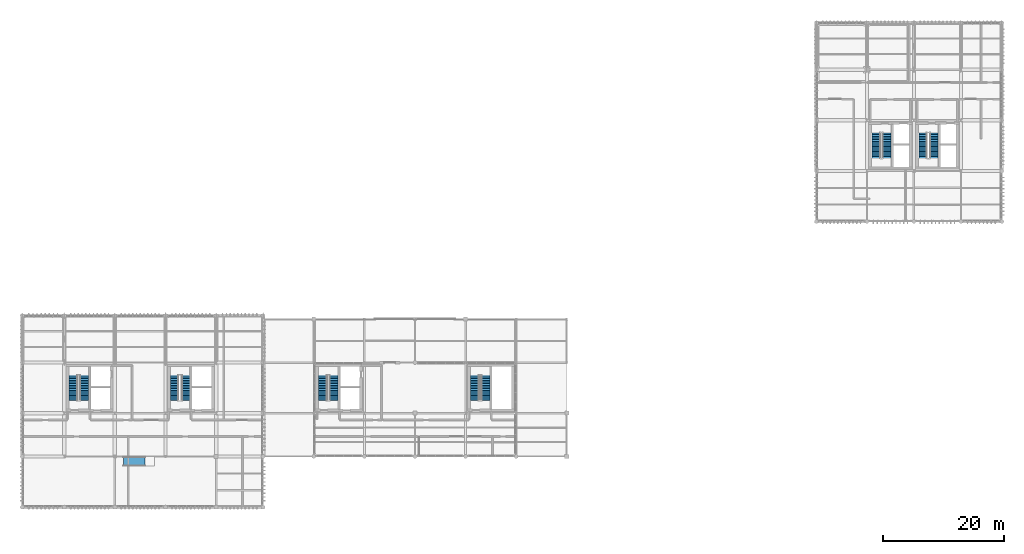
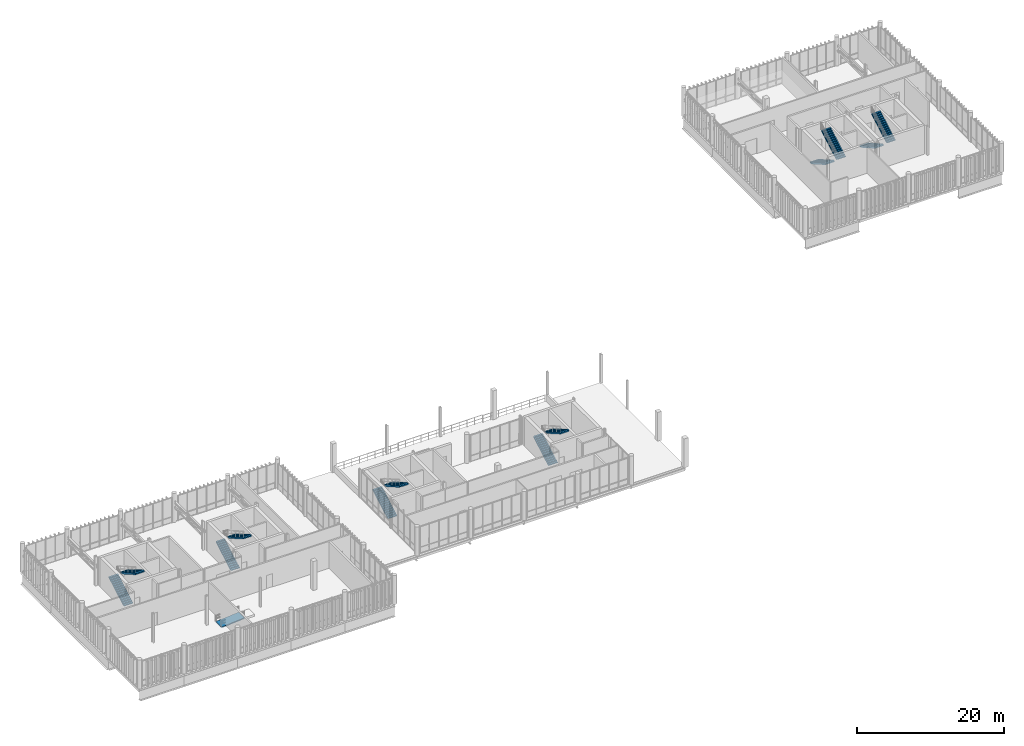
# One storey, part 73 of 81: 12 stair flights, 1 ramp flight, 7 elements without a shape of their own.
"""IFC4 building model written with IfcOpenShell, lengths in metres."""

from ifc_helpers import new_model, si_unit, direction, frame, origin_with_axes, place, context, subcontext, project, spatial, polyline, outline, extrude, material, type_object, element, aggregate, save


model = new_model("IFC4")

# Units and contexts
model_context = context("Model", 3, precision=1e-05, world=origin_with_axes(), true_north=direction((0.0, 1.0)))
body_context = subcontext(model_context, "Body", "Model", "MODEL_VIEW")
ifc_project = project(units=[si_unit("LENGTHUNIT", "METRE"), si_unit("AREAUNIT", "SQUARE_METRE"), si_unit("VOLUMEUNIT", "CUBIC_METRE"), si_unit("PLANEANGLEUNIT", "RADIAN"), si_unit("MASSUNIT", "GRAM", prefix="KILO"), si_unit("THERMODYNAMICTEMPERATUREUNIT", "KELVIN")], contexts=[model_context])

# Site, building, storey
site_placement = place(None, origin_with_axes())
site = spatial("IfcSite", under=ifc_project, at=site_placement, CompositionType="ELEMENT")
building_placement = place(site_placement, origin_with_axes())
building = spatial("IfcBuilding", under=site, at=building_placement, Name="Montbau Bow Law Courts", CompositionType="ELEMENT")
storey_placement = place(building_placement, frame((0.0, 0.0, 24.9), z_axis=(0.0, 0.0, 1.0), x_axis=(1.0, 0.0, 0.0)))
storey = spatial("IfcBuildingStorey", under=building, at=storey_placement, Name="L05", CompositionType="ELEMENT", Elevation=24.9)

# Stair, stair flights
ifc_material = material(Name="Concrete CSA A23.1 f'c 40 MPa", Category="concrete")
stair_type_1 = type_object("IfcStairType", Name="ST-JUD-1500", PredefinedType="HALF_TURN_STAIR", material=ifc_material)
stair_1_placement = place(None, frame((32.09, 48.3, 24.9), z_axis=(0.0, 0.0, 1.0), x_axis=(1.0, 0.0, 0.0)))
stair_1 = element("IfcStair", 1, at=stair_1_placement, inside=storey, type_object=stair_type_1, Name="ST-J1-L05:str_0015", PredefinedType="HALF_TURN_STAIR")
stair_flight_type_1 = type_object("IfcStairFlightType", Name="SF-RC-1500B", PredefinedType="STRAIGHT", material=ifc_material)
stair_flight_1_placement = place(None, frame((32.09, 48.3, 24.9), z_axis=(0.0, 0.0, 1.0), x_axis=(0.0, 1.0, 0.0)))
stair_flight_1 = element("IfcStairFlight", 2, at=stair_flight_1_placement, type_object=stair_flight_type_1, Name="ST-J1-L05-F1:str_0015_F1", NumberOfRisers=15, NumberOfTreads=14, PredefinedType="STRAIGHT", RiserHeight=0.16, TreadLength=0.28, context=body_context, shape_type="SweptSolid", body=[
    extrude(outline(polyline([(0.0, 0.0), (0.0, 0.16), (0.28, 0.16), (0.28, 0.32), (0.56, 0.32), (0.56, 0.48), (0.84, 0.48), (0.84, 0.64), (1.12, 0.64), (1.12, 0.8), (1.4, 0.8), (1.4, 0.96), (1.68, 0.96), (1.68, 1.12), (1.96, 1.12), (1.96, 1.28), (2.24, 1.28), (2.24, 1.44), (2.52, 1.44), (2.52, 1.6), (2.8, 1.6), (2.8, 1.76), (3.08, 1.76), (3.08, 1.92), (3.36, 1.92), (3.36, 2.08), (3.64, 2.08), (3.64, 2.24), (3.92, 2.24), (3.92, 2.4), (4.2, 2.4), (4.2, 2.192685), (0.362802, 0.0), (0.0, 0.0)])), frame((0.0, 0.67, 0.0), z_axis=(0.0, -1.0, 0.0), x_axis=(1.0, 0.0, 0.0)), (0.0, 0.0, 1.0), 1.34),
])
stair_flight_2_placement = place(None, frame((33.96, 52.5, 27.3), z_axis=(0.0, 0.0, 1.0), x_axis=(0.0, -1.0, 0.0)))
stair_flight_2 = element("IfcStairFlight", 3, at=stair_flight_2_placement, type_object=stair_flight_type_1, Name="ST-J1-L05-F2:str_0015_F2", NumberOfRisers=15, NumberOfTreads=14, PredefinedType="STRAIGHT", RiserHeight=0.16, TreadLength=0.28, context=body_context, shape_type="SweptSolid", body=[
    extrude(outline(polyline([(0.0, 0.0), (0.0, 0.16), (0.28, 0.16), (0.28, 0.32), (0.56, 0.32), (0.56, 0.48), (0.84, 0.48), (0.84, 0.64), (1.12, 0.64), (1.12, 0.8), (1.4, 0.8), (1.4, 0.96), (1.68, 0.96), (1.68, 1.12), (1.96, 1.12), (1.96, 1.28), (2.24, 1.28), (2.24, 1.44), (2.52, 1.44), (2.52, 1.6), (2.8, 1.6), (2.8, 1.76), (3.08, 1.76), (3.08, 1.92), (3.36, 1.92), (3.36, 2.08), (3.64, 2.08), (3.64, 2.24), (3.92, 2.24), (3.92, 2.4), (4.2, 2.4), (4.2, 2.192685), (0.362802, 0.0), (0.0, 0.0)])), frame((0.0, 0.67, 0.0), z_axis=(0.0, -1.0, 0.0), x_axis=(1.0, 0.0, 0.0)), (0.0, 0.0, 1.0), 1.34),
])
aggregate(stair_1, [stair_flight_1, stair_flight_2])

stair_2_placement = place(None, frame((156.29, 92.7, 24.9), z_axis=(0.0, 0.0, 1.0), x_axis=(1.0, 0.0, 0.0)))
stair_2 = element("IfcStair", 4, at=stair_2_placement, inside=storey, type_object=stair_type_1, Name="ST-J2-L05:str_0050", PredefinedType="HALF_TURN_STAIR")
stair_flight_3_placement = place(None, frame((156.29, 92.7, 24.9), z_axis=(0.0, 0.0, 1.0), x_axis=(0.0, -1.0, 0.0)))
stair_flight_3 = element("IfcStairFlight", 5, at=stair_flight_3_placement, type_object=stair_flight_type_1, Name="ST-J2-L05-F1:str_0050_F1", NumberOfRisers=15, NumberOfTreads=14, PredefinedType="STRAIGHT", RiserHeight=0.16, TreadLength=0.28, context=body_context, shape_type="SweptSolid", body=[
    extrude(outline(polyline([(0.0, 0.0), (0.0, 0.16), (0.28, 0.16), (0.28, 0.32), (0.56, 0.32), (0.56, 0.48), (0.84, 0.48), (0.84, 0.64), (1.12, 0.64), (1.12, 0.8), (1.4, 0.8), (1.4, 0.96), (1.68, 0.96), (1.68, 1.12), (1.96, 1.12), (1.96, 1.28), (2.24, 1.28), (2.24, 1.44), (2.52, 1.44), (2.52, 1.6), (2.8, 1.6), (2.8, 1.76), (3.08, 1.76), (3.08, 1.92), (3.36, 1.92), (3.36, 2.08), (3.64, 2.08), (3.64, 2.24), (3.92, 2.24), (3.92, 2.4), (4.2, 2.4), (4.2, 2.192685), (0.362802, 0.0), (0.0, 0.0)])), frame((0.0, 0.67, 0.0), z_axis=(0.0, -1.0, 0.0), x_axis=(1.0, 0.0, 0.0)), (0.0, 0.0, 1.0), 1.34),
])
stair_flight_4_placement = place(None, frame((158.16, 88.5, 27.3), z_axis=(0.0, 0.0, 1.0), x_axis=(0.0, 1.0, 0.0)))
stair_flight_4 = element("IfcStairFlight", 6, at=stair_flight_4_placement, type_object=stair_flight_type_1, Name="ST-J2-L05-F2:str_0050_F2", NumberOfRisers=15, NumberOfTreads=14, PredefinedType="STRAIGHT", RiserHeight=0.16, TreadLength=0.28, context=body_context, shape_type="SweptSolid", body=[
    extrude(outline(polyline([(0.0, 0.0), (0.0, 0.16), (0.28, 0.16), (0.28, 0.32), (0.56, 0.32), (0.56, 0.48), (0.84, 0.48), (0.84, 0.64), (1.12, 0.64), (1.12, 0.8), (1.4, 0.8), (1.4, 0.96), (1.68, 0.96), (1.68, 1.12), (1.96, 1.12), (1.96, 1.28), (2.24, 1.28), (2.24, 1.44), (2.52, 1.44), (2.52, 1.6), (2.8, 1.6), (2.8, 1.76), (3.08, 1.76), (3.08, 1.92), (3.36, 1.92), (3.36, 2.08), (3.64, 2.08), (3.64, 2.24), (3.92, 2.24), (3.92, 2.4), (4.2, 2.4), (4.2, 2.192685), (0.362802, 0.0), (0.0, 0.0)])), frame((0.0, 0.67, 0.0), z_axis=(0.0, -1.0, 0.0), x_axis=(1.0, 0.0, 0.0)), (0.0, 0.0, 1.0), 1.34),
])
aggregate(stair_2, [stair_flight_3, stair_flight_4])

stair_type_2 = type_object("IfcStairType", Name="ST-PUB-1800", PredefinedType="HALF_TURN_STAIR", material=ifc_material)
stair_3_placement = place(None, frame((15.33, 48.3, 24.9), z_axis=(0.0, 0.0, 1.0), x_axis=(1.0, 0.0, 0.0)))
stair_3 = element("IfcStair", 7, at=stair_3_placement, inside=storey, type_object=stair_type_2, Name="ST-P1-L05:str_0007", PredefinedType="HALF_TURN_STAIR")
stair_flight_type_2 = type_object("IfcStairFlightType", Name="SF-RC-1800B", PredefinedType="STRAIGHT", material=ifc_material)
stair_flight_5_placement = place(None, frame((15.33, 48.3, 24.9), z_axis=(0.0, 0.0, 1.0), x_axis=(0.0, 1.0, 0.0)))
stair_flight_5 = element("IfcStairFlight", 8, at=stair_flight_5_placement, type_object=stair_flight_type_2, Name="ST-P1-L05-F1:str_0007_F1", NumberOfRisers=15, NumberOfTreads=14, PredefinedType="STRAIGHT", RiserHeight=0.16, TreadLength=0.28, context=body_context, shape_type="SweptSolid", body=[
    extrude(outline(polyline([(0.0, 0.0), (0.0, 0.16), (0.28, 0.16), (0.28, 0.32), (0.56, 0.32), (0.56, 0.48), (0.84, 0.48), (0.84, 0.64), (1.12, 0.64), (1.12, 0.8), (1.4, 0.8), (1.4, 0.96), (1.68, 0.96), (1.68, 1.12), (1.96, 1.12), (1.96, 1.28), (2.24, 1.28), (2.24, 1.44), (2.52, 1.44), (2.52, 1.6), (2.8, 1.6), (2.8, 1.76), (3.08, 1.76), (3.08, 1.92), (3.36, 1.92), (3.36, 2.08), (3.64, 2.08), (3.64, 2.24), (3.92, 2.24), (3.92, 2.4), (4.2, 2.4), (4.2, 2.192685), (0.362802, 0.0), (0.0, 0.0)])), frame((0.0, 0.71, 0.0), z_axis=(0.0, -1.0, 0.0), x_axis=(1.0, 0.0, 0.0)), (0.0, 0.0, 1.0), 1.42),
])
stair_flight_6_placement = place(None, frame((17.12, 52.5, 27.3), z_axis=(0.0, 0.0, 1.0), x_axis=(0.0, -1.0, 0.0)))
stair_flight_6 = element("IfcStairFlight", 9, at=stair_flight_6_placement, type_object=stair_flight_type_2, Name="ST-P1-L05-F2:str_0007_F2", NumberOfRisers=15, NumberOfTreads=14, PredefinedType="STRAIGHT", RiserHeight=0.16, TreadLength=0.28, context=body_context, shape_type="SweptSolid", body=[
    extrude(outline(polyline([(0.0, 0.0), (0.0, 0.16), (0.28, 0.16), (0.28, 0.32), (0.56, 0.32), (0.56, 0.48), (0.84, 0.48), (0.84, 0.64), (1.12, 0.64), (1.12, 0.8), (1.4, 0.8), (1.4, 0.96), (1.68, 0.96), (1.68, 1.12), (1.96, 1.12), (1.96, 1.28), (2.24, 1.28), (2.24, 1.44), (2.52, 1.44), (2.52, 1.6), (2.8, 1.6), (2.8, 1.76), (3.08, 1.76), (3.08, 1.92), (3.36, 1.92), (3.36, 2.08), (3.64, 2.08), (3.64, 2.24), (3.92, 2.24), (3.92, 2.4), (4.2, 2.4), (4.2, 2.192685), (0.362802, 0.0), (0.0, 0.0)])), frame((0.0, 0.71, 0.0), z_axis=(0.0, -1.0, 0.0), x_axis=(1.0, 0.0, 0.0)), (0.0, 0.0, 1.0), 1.42),
])
aggregate(stair_3, [stair_flight_5, stair_flight_6])

stair_4_placement = place(None, frame((56.73, 48.3, 24.9), z_axis=(0.0, 0.0, 1.0), x_axis=(1.0, 0.0, 0.0)))
stair_4 = element("IfcStair", 10, at=stair_4_placement, inside=storey, type_object=stair_type_2, Name="ST-P4-L05:str_0023", PredefinedType="HALF_TURN_STAIR")
stair_flight_7_placement = place(None, frame((56.73, 48.3, 24.9), z_axis=(0.0, 0.0, 1.0), x_axis=(0.0, 1.0, 0.0)))
stair_flight_7 = element("IfcStairFlight", 11, at=stair_flight_7_placement, type_object=stair_flight_type_2, Name="ST-P4-L05-F1:str_0023_F1", NumberOfRisers=15, NumberOfTreads=14, PredefinedType="STRAIGHT", RiserHeight=0.16, TreadLength=0.28, context=body_context, shape_type="SweptSolid", body=[
    extrude(outline(polyline([(0.0, 0.0), (0.0, 0.16), (0.28, 0.16), (0.28, 0.32), (0.56, 0.32), (0.56, 0.48), (0.84, 0.48), (0.84, 0.64), (1.12, 0.64), (1.12, 0.8), (1.4, 0.8), (1.4, 0.96), (1.68, 0.96), (1.68, 1.12), (1.96, 1.12), (1.96, 1.28), (2.24, 1.28), (2.24, 1.44), (2.52, 1.44), (2.52, 1.6), (2.8, 1.6), (2.8, 1.76), (3.08, 1.76), (3.08, 1.92), (3.36, 1.92), (3.36, 2.08), (3.64, 2.08), (3.64, 2.24), (3.92, 2.24), (3.92, 2.4), (4.2, 2.4), (4.2, 2.192685), (0.362802, 0.0), (0.0, 0.0)])), frame((0.0, 0.71, 0.0), z_axis=(0.0, -1.0, 0.0), x_axis=(1.0, 0.0, 0.0)), (0.0, 0.0, 1.0), 1.42),
])
stair_flight_8_placement = place(None, frame((58.52, 52.5, 27.3), z_axis=(0.0, 0.0, 1.0), x_axis=(0.0, -1.0, 0.0)))
stair_flight_8 = element("IfcStairFlight", 12, at=stair_flight_8_placement, type_object=stair_flight_type_2, Name="ST-P4-L05-F2:str_0023_F2", NumberOfRisers=15, NumberOfTreads=14, PredefinedType="STRAIGHT", RiserHeight=0.16, TreadLength=0.28, context=body_context, shape_type="SweptSolid", body=[
    extrude(outline(polyline([(0.0, 0.0), (0.0, 0.16), (0.28, 0.16), (0.28, 0.32), (0.56, 0.32), (0.56, 0.48), (0.84, 0.48), (0.84, 0.64), (1.12, 0.64), (1.12, 0.8), (1.4, 0.8), (1.4, 0.96), (1.68, 0.96), (1.68, 1.12), (1.96, 1.12), (1.96, 1.28), (2.24, 1.28), (2.24, 1.44), (2.52, 1.44), (2.52, 1.6), (2.8, 1.6), (2.8, 1.76), (3.08, 1.76), (3.08, 1.92), (3.36, 1.92), (3.36, 2.08), (3.64, 2.08), (3.64, 2.24), (3.92, 2.24), (3.92, 2.4), (4.2, 2.4), (4.2, 2.192685), (0.362802, 0.0), (0.0, 0.0)])), frame((0.0, 0.71, 0.0), z_axis=(0.0, -1.0, 0.0), x_axis=(1.0, 0.0, 0.0)), (0.0, 0.0, 1.0), 1.42),
])
aggregate(stair_4, [stair_flight_7, stair_flight_8])

stair_5_placement = place(None, frame((81.93, 48.3, 24.9), z_axis=(0.0, 0.0, 1.0), x_axis=(1.0, 0.0, 0.0)))
stair_5 = element("IfcStair", 13, at=stair_5_placement, inside=storey, type_object=stair_type_2, Name="ST-P3-L05:str_0031", PredefinedType="HALF_TURN_STAIR")
stair_flight_9_placement = place(None, frame((81.93, 48.3, 24.9), z_axis=(0.0, 0.0, 1.0), x_axis=(0.0, 1.0, 0.0)))
stair_flight_9 = element("IfcStairFlight", 14, at=stair_flight_9_placement, type_object=stair_flight_type_2, Name="ST-P3-L05-F1:str_0031_F1", NumberOfRisers=15, NumberOfTreads=14, PredefinedType="STRAIGHT", RiserHeight=0.16, TreadLength=0.28, context=body_context, shape_type="SweptSolid", body=[
    extrude(outline(polyline([(0.0, 0.0), (0.0, 0.16), (0.28, 0.16), (0.28, 0.32), (0.56, 0.32), (0.56, 0.48), (0.84, 0.48), (0.84, 0.64), (1.12, 0.64), (1.12, 0.8), (1.4, 0.8), (1.4, 0.96), (1.68, 0.96), (1.68, 1.12), (1.96, 1.12), (1.96, 1.28), (2.24, 1.28), (2.24, 1.44), (2.52, 1.44), (2.52, 1.6), (2.8, 1.6), (2.8, 1.76), (3.08, 1.76), (3.08, 1.92), (3.36, 1.92), (3.36, 2.08), (3.64, 2.08), (3.64, 2.24), (3.92, 2.24), (3.92, 2.4), (4.2, 2.4), (4.2, 2.192685), (0.362802, 0.0), (0.0, 0.0)])), frame((0.0, 0.71, 0.0), z_axis=(0.0, -1.0, 0.0), x_axis=(1.0, 0.0, 0.0)), (0.0, 0.0, 1.0), 1.42),
])
stair_flight_10_placement = place(None, frame((83.72, 52.5, 27.3), z_axis=(0.0, 0.0, 1.0), x_axis=(0.0, -1.0, 0.0)))
stair_flight_10 = element("IfcStairFlight", 15, at=stair_flight_10_placement, type_object=stair_flight_type_2, Name="ST-P3-L05-F2:str_0031_F2", NumberOfRisers=15, NumberOfTreads=14, PredefinedType="STRAIGHT", RiserHeight=0.16, TreadLength=0.28, context=body_context, shape_type="SweptSolid", body=[
    extrude(outline(polyline([(0.0, 0.0), (0.0, 0.16), (0.28, 0.16), (0.28, 0.32), (0.56, 0.32), (0.56, 0.48), (0.84, 0.48), (0.84, 0.64), (1.12, 0.64), (1.12, 0.8), (1.4, 0.8), (1.4, 0.96), (1.68, 0.96), (1.68, 1.12), (1.96, 1.12), (1.96, 1.28), (2.24, 1.28), (2.24, 1.44), (2.52, 1.44), (2.52, 1.6), (2.8, 1.6), (2.8, 1.76), (3.08, 1.76), (3.08, 1.92), (3.36, 1.92), (3.36, 2.08), (3.64, 2.08), (3.64, 2.24), (3.92, 2.24), (3.92, 2.4), (4.2, 2.4), (4.2, 2.192685), (0.362802, 0.0), (0.0, 0.0)])), frame((0.0, 0.71, 0.0), z_axis=(0.0, -1.0, 0.0), x_axis=(1.0, 0.0, 0.0)), (0.0, 0.0, 1.0), 1.42),
])
aggregate(stair_5, [stair_flight_9, stair_flight_10])

stair_6_placement = place(None, frame((148.53, 92.7, 24.9), z_axis=(0.0, 0.0, 1.0), x_axis=(1.0, 0.0, 0.0)))
stair_6 = element("IfcStair", 16, at=stair_6_placement, inside=storey, type_object=stair_type_2, Name="ST-P2-L05:str_0039", PredefinedType="HALF_TURN_STAIR")
stair_flight_11_placement = place(None, frame((148.53, 92.7, 24.9), z_axis=(0.0, 0.0, 1.0), x_axis=(0.0, -1.0, 0.0)))
stair_flight_11 = element("IfcStairFlight", 17, at=stair_flight_11_placement, type_object=stair_flight_type_2, Name="ST-P2-L05-F1:str_0039_F1", NumberOfRisers=15, NumberOfTreads=14, PredefinedType="STRAIGHT", RiserHeight=0.16, TreadLength=0.28, context=body_context, shape_type="SweptSolid", body=[
    extrude(outline(polyline([(0.0, 0.0), (0.0, 0.16), (0.28, 0.16), (0.28, 0.32), (0.56, 0.32), (0.56, 0.48), (0.84, 0.48), (0.84, 0.64), (1.12, 0.64), (1.12, 0.8), (1.4, 0.8), (1.4, 0.96), (1.68, 0.96), (1.68, 1.12), (1.96, 1.12), (1.96, 1.28), (2.24, 1.28), (2.24, 1.44), (2.52, 1.44), (2.52, 1.6), (2.8, 1.6), (2.8, 1.76), (3.08, 1.76), (3.08, 1.92), (3.36, 1.92), (3.36, 2.08), (3.64, 2.08), (3.64, 2.24), (3.92, 2.24), (3.92, 2.4), (4.2, 2.4), (4.2, 2.192685), (0.362802, 0.0), (0.0, 0.0)])), frame((0.0, 0.71, 0.0), z_axis=(0.0, -1.0, 0.0), x_axis=(1.0, 0.0, 0.0)), (0.0, 0.0, 1.0), 1.42),
])
stair_flight_12_placement = place(None, frame((150.32, 88.5, 27.3), z_axis=(0.0, 0.0, 1.0), x_axis=(0.0, 1.0, 0.0)))
stair_flight_12 = element("IfcStairFlight", 18, at=stair_flight_12_placement, type_object=stair_flight_type_2, Name="ST-P2-L05-F2:str_0039_F2", NumberOfRisers=15, NumberOfTreads=14, PredefinedType="STRAIGHT", RiserHeight=0.16, TreadLength=0.28, context=body_context, shape_type="SweptSolid", body=[
    extrude(outline(polyline([(0.0, 0.0), (0.0, 0.16), (0.28, 0.16), (0.28, 0.32), (0.56, 0.32), (0.56, 0.48), (0.84, 0.48), (0.84, 0.64), (1.12, 0.64), (1.12, 0.8), (1.4, 0.8), (1.4, 0.96), (1.68, 0.96), (1.68, 1.12), (1.96, 1.12), (1.96, 1.28), (2.24, 1.28), (2.24, 1.44), (2.52, 1.44), (2.52, 1.6), (2.8, 1.6), (2.8, 1.76), (3.08, 1.76), (3.08, 1.92), (3.36, 1.92), (3.36, 2.08), (3.64, 2.08), (3.64, 2.24), (3.92, 2.24), (3.92, 2.4), (4.2, 2.4), (4.2, 2.192685), (0.362802, 0.0), (0.0, 0.0)])), frame((0.0, 0.71, 0.0), z_axis=(0.0, -1.0, 0.0), x_axis=(1.0, 0.0, 0.0)), (0.0, 0.0, 1.0), 1.42),
])
aggregate(stair_6, [stair_flight_11, stair_flight_12])

# Ramp, ramp flight
ramp_type = type_object("IfcRampType", Name="RMP-PED-01", PredefinedType="STRAIGHT_RUN_RAMP", material=ifc_material)
ramp_placement = place(None, frame((23.6, 38.2, 24.9), z_axis=(0.0, 0.0, 1.0), x_axis=(1.0, 0.0, 0.0)))
ramp = element("IfcRamp", 19, at=ramp_placement, inside=storey, type_object=ramp_type, Name="High-Security Courtroom Dais Barrier-Free Ramp R-BF4", PredefinedType="STRAIGHT_RUN_RAMP")
ramp_flight_type = type_object("IfcRampFlightType", Name="RMF-PED-01", PredefinedType="STRAIGHT", material=ifc_material)
ramp_flight_placement = place(None, frame((23.6, 38.2, 24.9), z_axis=(0.0, 0.0, 1.0), x_axis=(1.0, 0.0, 0.0)))
ramp_flight = element("IfcRampFlight", 20, at=ramp_flight_placement, type_object=ramp_flight_type, Name="High-Security Courtroom Dais Barrier-Free Ramp R-BF4 flight", PredefinedType="STRAIGHT", context=body_context, shape_type="SweptSolid", body=[
    extrude(outline(polyline([(0.0, 0.0), (3.6, 0.3), (3.6, 0.12), (0.0, -0.18), (0.0, 0.0)])), frame((0.0, 0.775, 0.0), z_axis=(0.0, -1.0, 0.0), x_axis=(1.0, 0.0, 0.0)), (0.0, 0.0, 1.0), 1.55),
])
aggregate(ramp, [ramp_flight])

save(model, "model.ifc")
